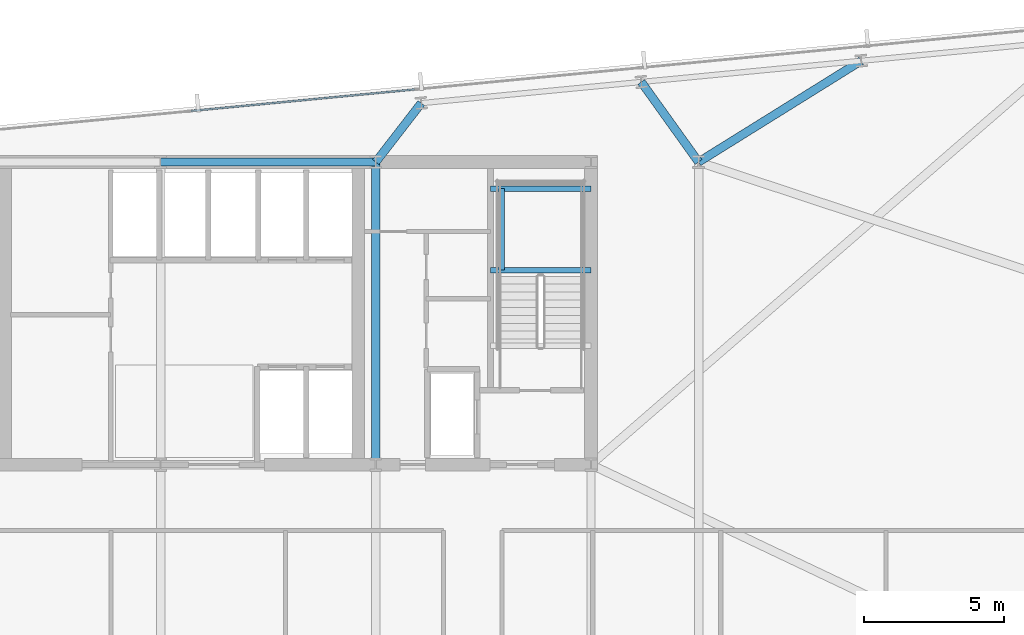
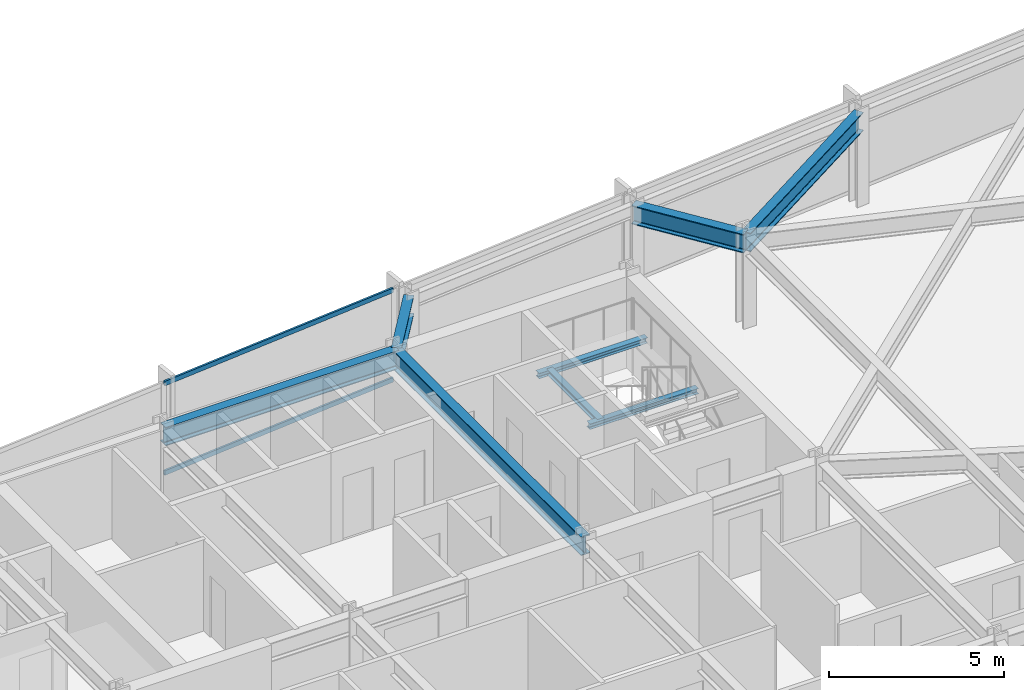
# One storey, part 20 of 33: 8 beams, 2 members, 1 element without a shape of its own.
"""IFC4 building model written with IfcOpenShell, lengths in metres."""

from ifc_helpers import new_model, si_unit, direction, frame, origin, origin_2d, place, context, subcontext, project, spatial, hollow_rectangle, i_section, extrude, material, material_profile, profile_set, type_object, element, aggregate, save


model = new_model("IFC4")

# Units and contexts
model_context = context("Model", 3, precision=1e-05, world=origin(), true_north=direction((0.0, 1.0)))
body_context = subcontext(model_context, "Body", "Model", "MODEL_VIEW")
ifc_project = project(units=[si_unit("LENGTHUNIT", "METRE"), si_unit("AREAUNIT", "SQUARE_METRE"), si_unit("VOLUMEUNIT", "CUBIC_METRE"), si_unit("PLANEANGLEUNIT", "RADIAN"), si_unit("MASSUNIT", "GRAM", prefix="KILO")], contexts=[model_context])

# Site, building, storey
site_placement = place(None, origin())
site = spatial("IfcSite", under=ifc_project, at=site_placement, CompositionType="ELEMENT")
building_placement = place(site_placement, origin())
building = spatial("IfcBuilding", under=site, at=building_placement, Name="Yelkora Congress Tower", CompositionType="ELEMENT")
storey_placement = place(building_placement, frame((0.0, 0.0, 106.699951171875)))
storey = spatial("IfcBuildingStorey", under=building, at=storey_placement, Name="L28", CompositionType="ELEMENT", Elevation=106.699951171875)

# Beams
ifc_material_1 = material(Name="Steel S355J2", Category="steel")
ifc_material_profile_1 = material_profile(ifc_material_1, i_section(OverallWidth=0.300048828125, OverallDepth=0.64990234375, WebThickness=0.01611328125, FlangeThickness=0.031005859375, FilletRadius=0.027099609375, at=origin_2d()), Name="HEB 650")
ifc_profile_set_1 = profile_set([ifc_material_profile_1], Name="Steel S355J2")
beam_type_1 = type_object("IfcBeamType", Name="BM-GIRD-HEB650", PredefinedType="BEAM", material=ifc_profile_set_1)
beam_1_placement = place(storey_placement, frame((38.39990234375, 46.199951171875, 2.85498046875), z_axis=(1.0, 0.0, 0.0), x_axis=(0.0, 1.0, 0.0)))
element("IfcBeam", 1, at=beam_1_placement, inside=storey, type_object=beam_type_1, Name="L28 Core North Girder 4", PredefinedType="BEAM", context=body_context, shape_type="SweptSolid", body=[
    extrude(i_section(OverallWidth=0.300048828125, OverallDepth=0.64990234375, WebThickness=0.01611328125, FlangeThickness=0.031005859375, FilletRadius=0.027099609375, at=origin_2d()), origin(), (0.0, 0.0, 1.0), 7.68017578125),
])
beam_2_placement = place(storey_placement, frame((46.080078125, 35.39990234375, 2.85498046875), z_axis=(0.0, 1.0, 0.0), x_axis=(-1.0, 0.0, 0.0)))
element("IfcBeam", 2, at=beam_2_placement, inside=storey, type_object=beam_type_1, Name="L28 Core Tie Girder MC-S4", PredefinedType="BEAM", context=body_context, shape_type="SweptSolid", body=[
    extrude(i_section(OverallWidth=0.300048828125, OverallDepth=0.64990234375, WebThickness=0.01611328125, FlangeThickness=0.031005859375, FilletRadius=0.027099609375, at=origin_2d()), origin(), (0.0, 0.0, 1.0), 10.800048828125),
])
beam_3_placement = place(storey_placement, frame((47.70458984375, 48.300537109375, 2.85498046875), z_axis=(-0.611761448665, -0.791042306029, 0.0), x_axis=(0.791042306029, -0.611761448665, 0.0)))
element("IfcBeam", 3, at=beam_3_placement, inside=storey, type_object=beam_type_1, Name="L28 Primary Frame Girder N05", PredefinedType="BEAM", context=body_context, shape_type="SweptSolid", body=[
    extrude(i_section(OverallWidth=0.300048828125, OverallDepth=0.64990234375, WebThickness=0.01611328125, FlangeThickness=0.031005859375, FilletRadius=0.027099609375, at=origin_2d()), origin(), (0.0, 0.0, 1.0), 2.655517578125),
])
beam_4_placement = place(storey_placement, frame((55.553955078125, 49.056396484375, 2.85498046875), z_axis=(0.582335305303, -0.81294870207, 0.0), x_axis=(0.81294870207, 0.582335305303, 0.0)))
element("IfcBeam", 4, at=beam_4_placement, inside=storey, type_object=beam_type_1, Name="L28 Primary Frame Girder N06", PredefinedType="BEAM", context=body_context, shape_type="SweptSolid", body=[
    extrude(i_section(OverallWidth=0.300048828125, OverallDepth=0.64990234375, WebThickness=0.01611328125, FlangeThickness=0.031005859375, FilletRadius=0.027099609375, at=origin_2d()), origin(), (0.0, 0.0, 1.0), 3.513671875),
])
beam_5_placement = place(storey_placement, frame((63.4033203125, 49.81201171875, 2.85498046875), z_axis=(-0.848980050527, -0.528424898929, 0.0), x_axis=(0.528424898929, -0.848980050527, 0.0)))
element("IfcBeam", 5, at=beam_5_placement, inside=storey, type_object=beam_type_1, Name="L28 Primary Frame Girder N07", PredefinedType="BEAM", context=body_context, shape_type="SweptSolid", body=[
    extrude(i_section(OverallWidth=0.300048828125, OverallDepth=0.64990234375, WebThickness=0.01611328125, FlangeThickness=0.031005859375, FilletRadius=0.027099609375, at=origin_2d()), origin(), (0.0, 0.0, 1.0), 6.83544921875),
])
ifc_material_profile_2 = material_profile(ifc_material_1, i_section(OverallWidth=0.199951171875, OverallDepth=0.18994140625, WebThickness=0.006591796875, FlangeThickness=0.010009765625, FilletRadius=0.01806640625, at=origin_2d()), Name="HEA 200")
ifc_profile_set_2 = profile_set([ifc_material_profile_2], Name="Steel S355J2")
beam_type_2 = type_object("IfcBeamType", Name="BM-LAND-HEA200", PredefinedType="BEAM", material=ifc_profile_set_2)
for number, where, z_axis, x_axis, name in (
    (6, (50.179931640625, 42.340087890625, 1.384765625), (1.0, 0.0, 0.0), (0.0, 1.0, 0.0), "ST-02 L28 Landing Header Beam 1S"),
    (7, (50.179931640625, 45.25, 1.384765625), (1.0, 0.0, 0.0), (0.0, 1.0, 0.0), "ST-02 L28 Landing Header Beam 1N"),
):
    element("IfcBeam", number, at=place(storey_placement, frame(where, z_axis=z_axis, x_axis=x_axis)), inside=storey, type_object=beam_type_2, Name=name, PredefinedType="BEAM", context=body_context, shape_type="SweptSolid", body=[
        extrude(i_section(OverallWidth=0.199951171875, OverallDepth=0.18994140625, WebThickness=0.006591796875, FlangeThickness=0.010009765625, FilletRadius=0.01806640625, at=origin_2d()), origin(), (0.0, 0.0, 1.0), 3.580078125),
    ])
beam_6_placement = place(storey_placement, frame((50.580078125, 42.340087890625, 1.384765625), z_axis=(0.0, 1.0, 0.0), x_axis=(-1.0, 0.0, 0.0)))
element("IfcBeam", 8, at=beam_6_placement, inside=storey, type_object=beam_type_2, Name="ST-02 L28 Landing Trimmer Beam 1M", PredefinedType="BEAM", context=body_context, shape_type="SweptSolid", body=[
    extrude(i_section(OverallWidth=0.199951171875, OverallDepth=0.18994140625, WebThickness=0.006591796875, FlangeThickness=0.010009765625, FilletRadius=0.01806640625, at=origin_2d()), origin(), (0.0, 0.0, 1.0), 2.909912109375),
])

# Curtain wall, members
ifc_material_2 = material(Name="Anodised aluminium and insulated glass", Category="aluminium")
curtain_wall_type = type_object("IfcCurtainWallType", Name="CW-SYS-B2", PredefinedType="NOTDEFINED", material=ifc_material_2)
curtain_wall_placement = place(storey_placement, origin())
curtain_wall = element("IfcCurtainWall", 9, at=curtain_wall_placement, inside=storey, type_object=curtain_wall_type, Name="L28 Unitised Curtain Wall 10 (3)", PredefinedType="NOTDEFINED")
ifc_material_3 = material(Name="Anodised aluminium 6063-T6", Category="aluminium")
ifc_material_profile_3 = material_profile(ifc_material_3, hollow_rectangle(XDim=0.06494140625, YDim=0.159912109375, WallThickness=0.00390625, at=origin_2d()), Name="ALU 65x160x4")
ifc_profile_set_3 = profile_set([ifc_material_profile_3], Name="Anodised aluminium 6063-T6")
member_type = type_object("IfcMemberType", Name="MEM-TR-B2", PredefinedType="USERDEFINED", material=ifc_profile_set_3)
member_1_placement = place(storey_placement, frame((39.48681640625, 48.021728515625, 0.032470703125), z_axis=(0.995397513894, 0.095832089266, 0.0), x_axis=(-0.095832089266, 0.995397513894, 0.0)))
member_1 = element("IfcMember", 10, at=member_1_placement, type_object=member_type, Name="CW-B2 transom 3.1", ObjectType="TRANSOM", PredefinedType="USERDEFINED", context=body_context, shape_type="SweptSolid", body=[
    extrude(hollow_rectangle(XDim=0.06494140625, YDim=0.159912109375, WallThickness=0.00390625, at=origin_2d()), origin(), (0.0, 0.0, 1.0), 8.007080078125),
])
member_2_placement = place(storey_placement, frame((39.48681640625, 48.021728515625, 3.1474609375), z_axis=(0.995397513894, 0.095832089266, 0.0), x_axis=(-0.095832089266, 0.995397513894, 0.0)))
member_2 = element("IfcMember", 11, at=member_2_placement, type_object=member_type, Name="CW-B2 transom 3.2", ObjectType="TRANSOM", PredefinedType="USERDEFINED", context=body_context, shape_type="SweptSolid", body=[
    extrude(hollow_rectangle(XDim=0.06494140625, YDim=0.159912109375, WallThickness=0.00390625, at=origin_2d()), origin(), (0.0, 0.0, 1.0), 8.007080078125),
])
aggregate(curtain_wall, [member_1, member_2])

save(model, "model.ifc")
